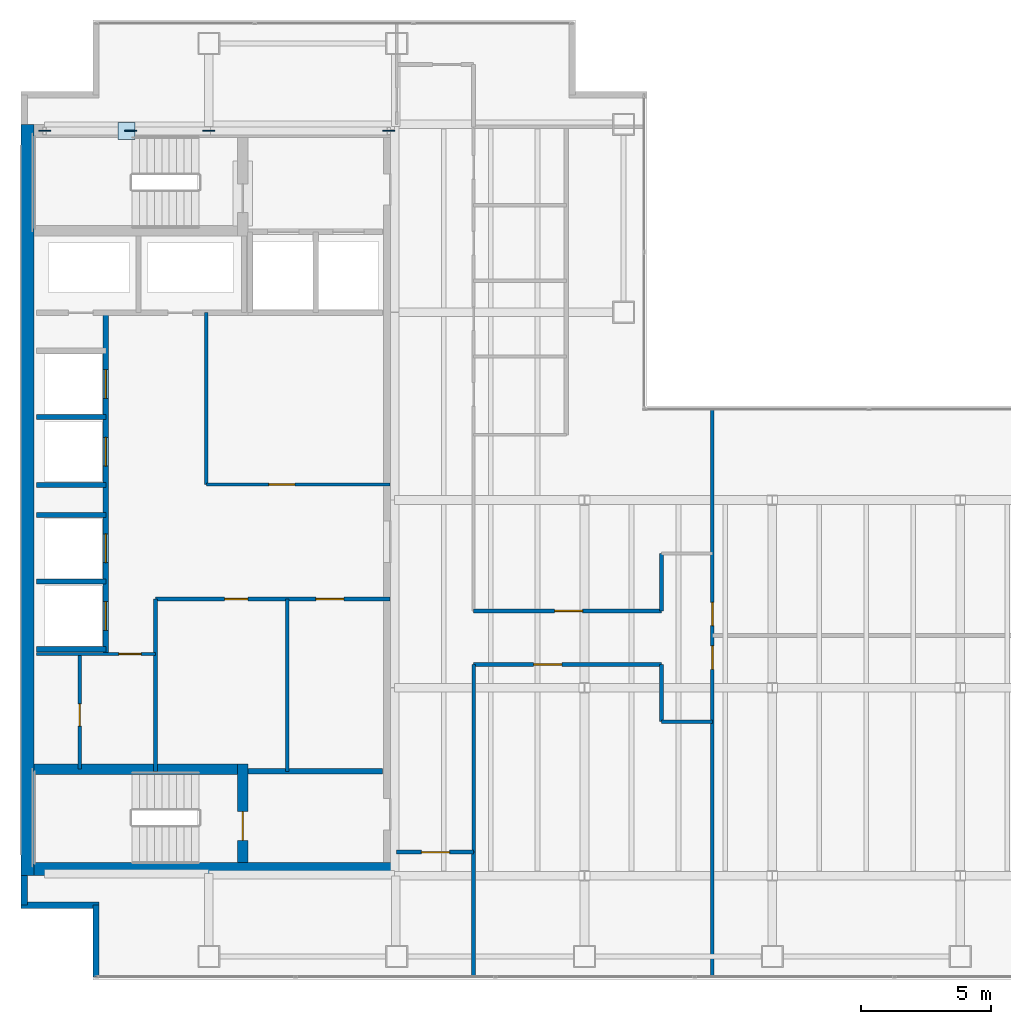
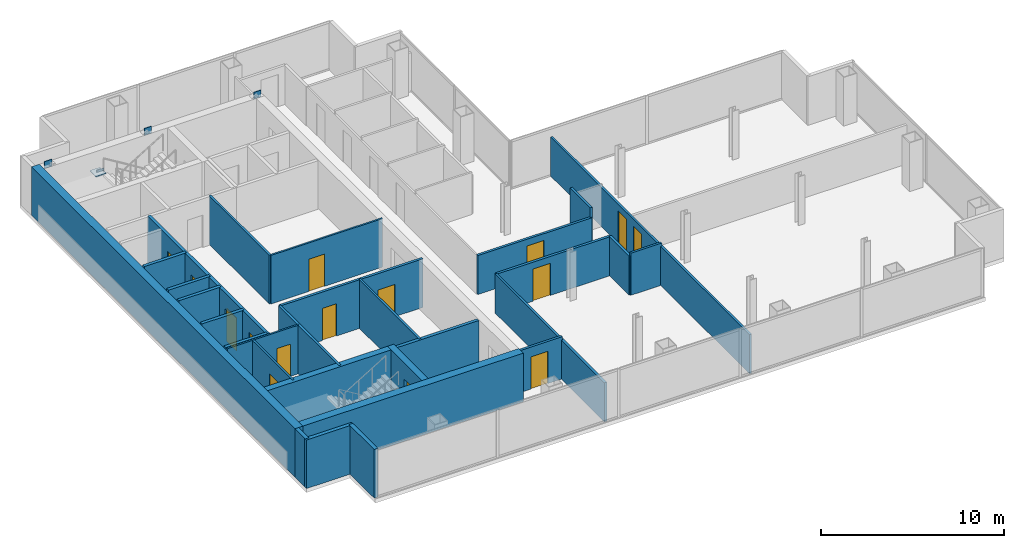
# One storey, part 20 of 23: 30 walls, 15 doors, 5 plates, 15 openings.
"""IFC4 building model written with IfcOpenShell, lengths in metres."""

from ifc_helpers import new_model, si_unit, direction, frame, frame_2d, origin, origin_2d, place, context, subcontext, project, spatial, rectangle, extrude, material, layer, layer_set, type_object, element, fill, save


model = new_model("IFC4")

# Units and contexts
model_context = context("Model", 3, precision=1e-05, world=origin(), true_north=direction((0.0, 1.0)))
body_context = subcontext(model_context, "Body", "Model", "MODEL_VIEW")
ifc_project = project(units=[si_unit("LENGTHUNIT", "METRE"), si_unit("AREAUNIT", "SQUARE_METRE"), si_unit("VOLUMEUNIT", "CUBIC_METRE"), si_unit("PLANEANGLEUNIT", "RADIAN"), si_unit("MASSUNIT", "GRAM", prefix="KILO")], contexts=[model_context])

# Site, building, storey
site_placement = place(None, origin())
site = spatial("IfcSite", under=ifc_project, at=site_placement, CompositionType="ELEMENT")
building_placement = place(site_placement, origin())
building = spatial("IfcBuilding", under=site, at=building_placement, Name="Cobrela Telecom Tower", CompositionType="ELEMENT")
storey_placement = place(building_placement, frame((0.0, 0.0, 180.25)))
storey = spatial("IfcBuildingStorey", under=building, at=storey_placement, Name="L45", CompositionType="ELEMENT", Elevation=180.25)

# Plates
ifc_material_1 = material(Name="Steel ASTM A572 Grade 50", Category="steel")
ifc_layer_1 = layer(ifc_material_1, 0.0419921875)
ifc_layer_set_1 = layer_set([ifc_layer_1], Name="Steel ASTM A572 Grade 50")
plate_type = type_object("IfcPlateType", Name="PLT-NODE-ND1", PredefinedType="USERDEFINED", material=ifc_layer_set_1)
for number, where, z_axis, x_axis, name in (
    (1, (7.199951171875, 35.75, 3.050048828125), (0.0, 0.0, 1.0), (1.0, 0.0, 0.0), "Steel node plate PLT-MBR-EXO-L45-N1-A-1"),
    (2, (4.198486328125, 35.75, 1.311767578125), (0.0, 0.0, 1.0), (-1.0, 0.0, 0.0), "Steel node plate PLT-MBR-EXO-L45-N1-B1-1"),
    (3, (0.89990234375, 35.75, 3.050048828125), (0.0, 0.0, 1.0), (-1.0, 0.0, 0.0), "Steel node plate PLT-MBR-EXO-L45-N1-B2-1"),
):
    element("IfcPlate", number, at=place(storey_placement, frame(where, z_axis=z_axis, x_axis=x_axis)), inside=storey, type_object=plate_type, Name=name, ObjectType="GUSSET PLATE", PredefinedType="USERDEFINED", context=body_context, shape_type="SweptSolid", body=[
        extrude(rectangle(XDim=0.4599609375, YDim=0.044921875, at=origin_2d()), origin(), (0.0, 0.0, 1.0), 0.4599609375),
    ])
plate_1_placement = place(storey_placement, frame((4.050048828125, 35.75, 1.59765625), z_axis=(0.0, 0.0, 1.0), x_axis=(1.0, 0.0, 0.0)))
element("IfcPlate", 4, at=plate_1_placement, inside=storey, type_object=plate_type, Name="L45 Core Flange Steel X-Brace Central X-Crossing Gusset Plate", ObjectType="GUSSET PLATE", PredefinedType="USERDEFINED", context=body_context, shape_type="SweptSolid", body=[
    extrude(rectangle(XDim=0.64990234375, YDim=0.64990234375, at=origin_2d()), origin(), (0.0, 0.0, 1.0), 0.044921875),
])
plate_2_placement = place(storey_placement, frame((14.10009765625, 35.75, 3.050048828125), z_axis=(0.0, 0.0, 1.0), x_axis=(1.0, 0.0, 0.0)))
element("IfcPlate", 5, at=plate_2_placement, inside=storey, type_object=plate_type, Name="Steel node plate PLT-MBR-EXO-L45-N2-1", ObjectType="GUSSET PLATE", PredefinedType="USERDEFINED", context=body_context, shape_type="SweptSolid", body=[
    extrude(rectangle(XDim=0.4599609375, YDim=0.044921875, at=origin_2d()), origin(), (0.0, 0.0, 1.0), 0.4599609375),
])

# Walls
ifc_material_2 = material(Name="Concrete C40/50", Category="concrete")
ifc_layer_2 = layer(ifc_material_2, 0.5)
ifc_layer_set_2 = layer_set([ifc_layer_2], Name="Concrete C40/50")
wall_type_1 = type_object("IfcWallType", Name="WALL-CORE-C40-500", PredefinedType="SHEAR", material=ifc_layer_set_2)
wall_1_placement = place(storey_placement, frame((0.25, 7.199951171875, 0.0), z_axis=(0.0, 0.0, 1.0), x_axis=(0.0, 1.0, 0.0)))
element("IfcWall", 6, at=wall_1_placement, inside=storey, type_object=wall_type_1, Name="L45 West Core Shear Wall", PredefinedType="SHEAR", context=body_context, shape_type="SweptSolid", body=[
    extrude(rectangle(XDim=28.800048828125, YDim=0.5, at=frame_2d((14.39990234375, 0.0))), origin(), (0.0, 0.0, 1.0), 3.239990234375),
])
wall_2_placement = place(storey_placement, frame((0.5, 7.449951171875, 0.0), z_axis=(0.0, 0.0, 1.0), x_axis=(1.0, 0.0, 0.0)))
element("IfcWall", 7, at=wall_2_placement, inside=storey, type_object=wall_type_1, Name="L45 South Core Shear Wall", PredefinedType="SHEAR", context=body_context, shape_type="SweptSolid", body=[
    extrude(rectangle(XDim=13.89990234375, YDim=0.5, at=frame_2d((6.949951171875, 0.0))), origin(), (0.0, 0.0, 1.0), 3.239990234375),
])
ifc_layer_3 = layer(ifc_material_2, 0.239990234375)
ifc_layer_set_3 = layer_set([ifc_layer_3], Name="Concrete C40/50")
wall_type_2 = type_object("IfcWallType", Name="WALL-EXT-300", PredefinedType="STANDARD", material=ifc_layer_set_3)
wall_3_placement = place(storey_placement, frame((2.8701171875, 3.320068359375, 0.0), z_axis=(0.0, 0.0, 1.0), x_axis=(0.0, 1.0, 0.0)))
element("IfcWall", 8, at=wall_3_placement, inside=storey, type_object=wall_type_2, Name="L45 Insulated Facade Wall 01", PredefinedType="STANDARD", context=body_context, shape_type="SweptSolid", body=[
    extrude(rectangle(XDim=2.75, YDim=0.239990234375, at=frame_2d((1.375, 0.0))), origin(), (0.0, 0.0, 1.0), 3.239990234375),
])
wall_4_placement = place(storey_placement, frame((2.989990234375, 6.070068359375, 0.0), z_axis=(0.0, 0.0, 1.0), x_axis=(-1.0, 0.0, 0.0)))
element("IfcWall", 9, at=wall_4_placement, inside=storey, type_object=wall_type_2, Name="L45 Insulated Facade Wall 02", PredefinedType="STANDARD", context=body_context, shape_type="SweptSolid", body=[
    extrude(rectangle(XDim=2.989990234375, YDim=0.239990234375, at=frame_2d((1.4951171875, 0.0))), origin(), (0.0, 0.0, 1.0), 3.239990234375),
])
wall_5_placement = place(storey_placement, frame((0.1201171875, 6.070068359375, 0.0), z_axis=(0.0, 0.0, 1.0), x_axis=(0.0, 1.0, 0.0)))
element("IfcWall", 10, at=wall_5_placement, inside=storey, type_object=wall_type_2, Name="L45 Insulated Facade Wall 03", PredefinedType="STANDARD", context=body_context, shape_type="SweptSolid", body=[
    extrude(rectangle(XDim=1.1298828125, YDim=0.239990234375, at=frame_2d((0.56494140625, 0.0))), origin(), (0.0, 0.0, 1.0), 3.239990234375),
])

# Wall, opening, door
ifc_material_3 = material(Name="Fire-Rated Gypsum Plasterboard")
ifc_layer_4 = layer(ifc_material_3, 0.110107421875)
ifc_layer_set_4 = layer_set([ifc_layer_4], Name="Fire-Rated Gypsum Plasterboard")
wall_type_3 = type_object("IfcWallType", Name="WALL-PART-110", PredefinedType="PARTITIONING", material=ifc_layer_set_4)
wall_6_placement = place(storey_placement, frame((7.10009765625, 22.199951171875, 0.0), z_axis=(0.0, 0.0, 1.0), x_axis=(1.0, 0.0, 0.0)))
wall_6 = element("IfcWall", 11, at=wall_6_placement, inside=storey, type_object=wall_type_3, Name="L45 Interior Partition CW-RECL-S", PredefinedType="PARTITIONING", context=body_context, shape_type="SweptSolid", body=[
    extrude(rectangle(XDim=7.0498046875, YDim=0.110107421875, at=frame_2d((3.52490234375, 0.0))), origin(), (0.0, 0.0, 1.0), 3.239990234375),
])
opening_1_placement = place(wall_6_placement, frame((2.39990234375, 0.0, 0.0)))
opening_1 = element("IfcOpeningElement", 12, at=opening_1_placement, cuts=wall_6, Name="Opening DR-31", PredefinedType="OPENING", context=body_context, shape_type="SweptSolid", body=[
    extrude(rectangle(XDim=1.0, YDim=2.14990234375, at=frame_2d((0.5, 1.074951171875))), frame((0.0, 0.06689453125, 0.0), z_axis=(0.0, -1.0, 0.0), x_axis=(1.0, 0.0, 0.0)), (0.0, 0.0, 1.0), 0.134033203125),
])
ifc_material_4 = material(Name="Solid Engineered Oak Timber", Category="wood")
door_type_1 = type_object("IfcDoorType", Name="DOOR-INT-1000", OperationType="SINGLE_SWING_LEFT", PredefinedType="DOOR", material=ifc_material_4)
door_1_placement = place(opening_1_placement, origin())
door_1 = element("IfcDoor", 13, at=door_1_placement, inside=storey, type_object=door_type_1, Name="L45 Door DR-31", OperationType="SINGLE_SWING_LEFT", OverallHeight=2.14990234375, OverallWidth=1.0, PredefinedType="DOOR", context=body_context, shape_type="SweptSolid", body=[
    extrude(rectangle(XDim=1.0, YDim=2.14990234375, at=frame_2d((0.5, 1.074951171875))), frame((0.0, 0.02490234375, 0.0), z_axis=(0.0, -1.0, 0.0), x_axis=(1.0, 0.0, 0.0)), (0.0, 0.0, 1.0), 0.050048828125),
])
fill(opening_1, door_1)

wall_7_placement = place(storey_placement, frame((0.60009765625, 15.699951171875, 0.0), z_axis=(0.0, 0.0, 1.0), x_axis=(1.0, 0.0, 0.0)))
wall_7 = element("IfcWall", 14, at=wall_7_placement, inside=storey, type_object=wall_type_3, Name="L45 Interior Partition CW-FLEX-N", PredefinedType="PARTITIONING", context=body_context, shape_type="SweptSolid", body=[
    extrude(rectangle(XDim=4.5498046875, YDim=0.110107421875, at=frame_2d((2.27490234375, 0.0))), origin(), (0.0, 0.0, 1.0), 3.239990234375),
])
opening_2_placement = place(wall_7_placement, frame((3.14990234375, 0.0, 0.0)))
opening_2 = element("IfcOpeningElement", 15, at=opening_2_placement, cuts=wall_7, Name="Opening DR-11", PredefinedType="OPENING", context=body_context, shape_type="SweptSolid", body=[
    extrude(rectangle(XDim=0.85009765625, YDim=2.14990234375, at=frame_2d((0.425048828125, 1.074951171875))), frame((0.0, 0.06689453125, 0.0), z_axis=(0.0, -1.0, 0.0), x_axis=(1.0, 0.0, 0.0)), (0.0, 0.0, 1.0), 0.134033203125),
])
door_type_2 = type_object("IfcDoorType", Name="DOOR-INT-850", OperationType="SINGLE_SWING_LEFT", PredefinedType="DOOR", material=ifc_material_4)
door_2_placement = place(opening_2_placement, origin())
door_2 = element("IfcDoor", 16, at=door_2_placement, inside=storey, type_object=door_type_2, Name="L45 Door DR-11", OperationType="SINGLE_SWING_RIGHT", OverallHeight=2.14990234375, OverallWidth=0.85009765625, PredefinedType="DOOR", context=body_context, shape_type="SweptSolid", body=[
    extrude(rectangle(XDim=0.85009765625, YDim=2.14990234375, at=frame_2d((0.425048828125, 1.074951171875))), frame((0.0, 0.02490234375, 0.0), z_axis=(0.0, -1.0, 0.0), x_axis=(1.0, 0.0, 0.0)), (0.0, 0.0, 1.0), 0.050048828125),
])
fill(opening_2, door_2)

ifc_layer_5 = layer(ifc_material_3, 0.125)
ifc_layer_set_5 = layer_set([ifc_layer_5], Name="Fire-Rated Gypsum Plasterboard")
wall_type_4 = type_object("IfcWallType", Name="WALL-PART-125", PredefinedType="PARTITIONING", material=ifc_layer_set_5)
wall_8_placement = place(storey_placement, frame((2.25, 11.280029296875, 0.0), z_axis=(0.0, 0.0, 1.0), x_axis=(0.0, 1.0, 0.0)))
wall_8 = element("IfcWall", 17, at=wall_8_placement, inside=storey, type_object=wall_type_4, Name="L45 Interior Partition CW-FK0-V", PredefinedType="PARTITIONING", context=body_context, shape_type="SweptSolid", body=[
    extrude(rectangle(XDim=4.419921875, YDim=0.125, at=frame_2d((2.2099609375, 0.0))), origin(), (0.0, 0.0, 1.0), 3.239990234375),
])
opening_3_placement = place(wall_8_placement, frame((1.64990234375, 0.0, 0.0)))
opening_3 = element("IfcOpeningElement", 18, at=opening_3_placement, cuts=wall_8, Name="Opening DR-11", PredefinedType="OPENING", context=body_context, shape_type="SweptSolid", body=[
    extrude(rectangle(XDim=0.85009765625, YDim=2.14990234375, at=frame_2d((0.425048828125, 1.074951171875))), frame((0.0, 0.074462890625, 0.0), z_axis=(0.0, -1.0, 0.0), x_axis=(1.0, 0.0, 0.0)), (0.0, 0.0, 1.0), 0.14892578125),
])
door_3_placement = place(opening_3_placement, origin())
door_3 = element("IfcDoor", 19, at=door_3_placement, inside=storey, type_object=door_type_2, Name="L45 Door DR-11", OperationType="SINGLE_SWING_LEFT", OverallHeight=2.14990234375, OverallWidth=0.85009765625, PredefinedType="DOOR", context=body_context, shape_type="SweptSolid", body=[
    extrude(rectangle(XDim=0.85009765625, YDim=2.14990234375, at=frame_2d((0.425048828125, 1.074951171875))), frame((0.0, 0.02490234375, 0.0), z_axis=(0.0, -1.0, 0.0), x_axis=(1.0, 0.0, 0.0)), (0.0, 0.0, 1.0), 0.050048828125),
])
fill(opening_3, door_3)

# Walls
ifc_layer_6 = layer(ifc_material_3, 0.135009765625)
ifc_layer_set_6 = layer_set([ifc_layer_6], Name="Fire-Rated Gypsum Plasterboard")
wall_type_5 = type_object("IfcWallType", Name="WALL-PART-135", PredefinedType="PARTITIONING", material=ifc_layer_set_6)
wall_9_placement = place(storey_placement, frame((7.10009765625, 22.199951171875, 0.0), z_axis=(0.0, 0.0, 1.0), x_axis=(0.0, 1.0, 0.0)))
element("IfcWall", 20, at=wall_9_placement, inside=storey, type_object=wall_type_5, Name="L45 Interior Partition CW-RECL-W", PredefinedType="PARTITIONING", context=body_context, shape_type="SweptSolid", body=[
    extrude(rectangle(XDim=6.580078125, YDim=0.135009765625, at=frame_2d((3.2900390625, 0.0))), origin(), (0.0, 0.0, 1.0), 3.239990234375),
])
wall_10_placement = place(storey_placement, frame((10.199951171875, 11.199951171875, 0.0), z_axis=(0.0, 0.0, 1.0), x_axis=(0.0, 1.0, 0.0)))
element("IfcWall", 21, at=wall_10_placement, inside=storey, type_object=wall_type_5, Name="L45 Interior Partition CW-RECM-V", PredefinedType="PARTITIONING", context=body_context, shape_type="SweptSolid", body=[
    extrude(rectangle(XDim=6.60009765625, YDim=0.135009765625, at=frame_2d((3.300048828125, 0.0))), origin(), (0.0, 0.0, 1.0), 3.239990234375),
])
wall_11_placement = place(storey_placement, frame((17.35009765625, 8.10009765625, 0.0), z_axis=(0.0, 0.0, 1.0), x_axis=(0.0, 1.0, 0.0)))
element("IfcWall", 22, at=wall_11_placement, inside=storey, type_object=wall_type_5, Name="L45 Interior Partition W-C-E1", PredefinedType="PARTITIONING", context=body_context, shape_type="SweptSolid", body=[
    extrude(rectangle(XDim=7.199951171875, YDim=0.135009765625, at=frame_2d((3.60009765625, 0.0))), origin(), (0.0, 0.0, 1.0), 2.60302734375),
])
wall_12_placement = place(storey_placement, frame((24.550048828125, 13.10009765625, 0.0), z_axis=(0.0, 0.0, 1.0), x_axis=(1.0, 0.0, 0.0)))
element("IfcWall", 23, at=wall_12_placement, inside=storey, type_object=wall_type_5, Name="L45 Interior Partition W-CT-S", PredefinedType="PARTITIONING", context=body_context, shape_type="SweptSolid", body=[
    extrude(rectangle(XDim=1.949951171875, YDim=0.135009765625, at=frame_2d((0.97509765625, 0.0))), origin(), (0.0, 0.0, 1.0), 2.80810546875),
])

# Wall, openings, doors
wall_13_placement = place(storey_placement, frame((26.5, 3.320068359375, 0.0), z_axis=(0.0, 0.0, 1.0), x_axis=(0.0, 1.0, 0.0)))
wall_13 = element("IfcWall", 24, at=wall_13_placement, inside=storey, type_object=wall_type_5, Name="L45 Interior Partition W-C-END", PredefinedType="PARTITIONING", context=body_context, shape_type="SweptSolid", body=[
    extrude(rectangle(XDim=21.760009765625, YDim=0.135009765625, at=frame_2d((10.8798828125, 0.0))), origin(), (0.0, 0.0, 1.0), 2.60302734375),
])
opening_4_placement = place(wall_13_placement, frame((11.7900390625, 0.0, 0.0)))
opening_4 = element("IfcOpeningElement", 25, at=opening_4_placement, cuts=wall_13, Name="Opening DR-41", PredefinedType="OPENING", context=body_context, shape_type="SweptSolid", body=[
    extrude(rectangle(XDim=0.89990234375, YDim=2.14990234375, at=frame_2d((0.449951171875, 1.074951171875))), frame((0.0, 0.07958984375, 0.0), z_axis=(0.0, -1.0, 0.0), x_axis=(1.0, 0.0, 0.0)), (0.0, 0.0, 1.0), 0.158935546875),
])
opening_5_placement = place(wall_13_placement, frame((13.4599609375, 0.0, 0.0)))
opening_5 = element("IfcOpeningElement", 26, at=opening_5_placement, cuts=wall_13, Name="Opening DR-41", PredefinedType="OPENING", context=body_context, shape_type="SweptSolid", body=[
    extrude(rectangle(XDim=0.89990234375, YDim=2.14990234375, at=frame_2d((0.449951171875, 1.074951171875))), frame((0.0, 0.07958984375, 0.0), z_axis=(0.0, -1.0, 0.0), x_axis=(1.0, 0.0, 0.0)), (0.0, 0.0, 1.0), 0.158935546875),
])
door_type_3 = type_object("IfcDoorType", Name="DOOR-INT-900", OperationType="SINGLE_SWING_LEFT", PredefinedType="DOOR", material=ifc_material_4)
door_4_placement = place(opening_4_placement, origin())
door_4 = element("IfcDoor", 27, at=door_4_placement, inside=storey, type_object=door_type_3, Name="L45 Door DR-41", OperationType="SINGLE_SWING_LEFT", OverallHeight=2.14990234375, OverallWidth=0.89990234375, PredefinedType="DOOR", context=body_context, shape_type="SweptSolid", body=[
    extrude(rectangle(XDim=0.89990234375, YDim=2.14990234375, at=frame_2d((0.449951171875, 1.074951171875))), frame((0.0, 0.02490234375, 0.0), z_axis=(0.0, -1.0, 0.0), x_axis=(1.0, 0.0, 0.0)), (0.0, 0.0, 1.0), 0.050048828125),
])
fill(opening_4, door_4)
door_5_placement = place(opening_5_placement, origin())
door_5 = element("IfcDoor", 28, at=door_5_placement, inside=storey, type_object=door_type_3, Name="L45 Door DR-41", OperationType="SINGLE_SWING_RIGHT", OverallHeight=2.14990234375, OverallWidth=0.89990234375, PredefinedType="DOOR", context=body_context, shape_type="SweptSolid", body=[
    extrude(rectangle(XDim=0.89990234375, YDim=2.14990234375, at=frame_2d((0.449951171875, 1.074951171875))), frame((0.0, 0.02490234375, 0.0), z_axis=(0.0, -1.0, 0.0), x_axis=(1.0, 0.0, 0.0)), (0.0, 0.0, 1.0), 0.050048828125),
])
fill(opening_5, door_5)

# Wall
ifc_layer_7 = layer(ifc_material_3, 0.14990234375)
ifc_layer_set_7 = layer_set([ifc_layer_7], Name="Fire-Rated Gypsum Plasterboard")
wall_type_6 = type_object("IfcWallType", Name="WALL-PART-150", PredefinedType="PARTITIONING", material=ifc_layer_set_7)
wall_14_placement = place(storey_placement, frame((5.14990234375, 11.199951171875, 0.0), z_axis=(0.0, 0.0, 1.0), x_axis=(0.0, 1.0, 0.0)))
element("IfcWall", 29, at=wall_14_placement, inside=storey, type_object=wall_type_6, Name="L45 Interior Partition CW-RECM-W", PredefinedType="PARTITIONING", context=body_context, shape_type="SweptSolid", body=[
    extrude(rectangle(XDim=6.60009765625, YDim=0.14990234375, at=frame_2d((3.300048828125, 0.0))), origin(), (0.0, 0.0, 1.0), 3.239990234375),
])

# Wall, opening, door
wall_15_placement = place(storey_placement, frame((14.39990234375, 8.10009765625, 0.0), z_axis=(0.0, 0.0, 1.0), x_axis=(1.0, 0.0, 0.0)))
wall_15 = element("IfcWall", 30, at=wall_15_placement, inside=storey, type_object=wall_type_6, Name="L45 Interior Partition W-C-S0", PredefinedType="PARTITIONING", context=body_context, shape_type="SweptSolid", body=[
    extrude(rectangle(XDim=2.9501953125, YDim=0.14990234375, at=frame_2d((1.47509765625, 0.0))), origin(), (0.0, 0.0, 1.0), 2.80810546875),
])
opening_6_placement = place(wall_15_placement, frame((0.949951171875, 0.0, 0.0)))
opening_6 = element("IfcOpeningElement", 31, at=opening_6_placement, cuts=wall_15, Name="Opening DR-63", PredefinedType="OPENING", context=body_context, shape_type="SweptSolid", body=[
    extrude(rectangle(XDim=1.080078125, YDim=2.14990234375, at=frame_2d((0.5400390625, 1.074951171875))), frame((0.0, 0.0869140625, 0.0), z_axis=(0.0, -1.0, 0.0), x_axis=(1.0, 0.0, 0.0)), (0.0, 0.0, 1.0), 0.173828125),
])
door_type_4 = type_object("IfcDoorType", Name="DOOR-INT-1080", OperationType="SINGLE_SWING_LEFT", PredefinedType="DOOR", material=ifc_material_4)
door_6_placement = place(opening_6_placement, origin())
door_6 = element("IfcDoor", 32, at=door_6_placement, inside=storey, type_object=door_type_4, Name="L45 Door DR-63", OperationType="SINGLE_SWING_RIGHT", OverallHeight=2.14990234375, OverallWidth=1.080078125, PredefinedType="DOOR", context=body_context, shape_type="SweptSolid", body=[
    extrude(rectangle(XDim=1.080078125, YDim=2.14990234375, at=frame_2d((0.5400390625, 1.074951171875))), frame((0.0, 0.02490234375, 0.0), z_axis=(0.0, -1.0, 0.0), x_axis=(1.0, 0.0, 0.0)), (0.0, 0.0, 1.0), 0.050048828125),
])
fill(opening_6, door_6)

wall_16_placement = place(storey_placement, frame((17.35009765625, 17.35009765625, 0.0), z_axis=(0.0, 0.0, 1.0), x_axis=(1.0, 0.0, 0.0)))
wall_16 = element("IfcWall", 33, at=wall_16_placement, inside=storey, type_object=wall_type_6, Name="L45 Interior Partition W-C-HN", PredefinedType="PARTITIONING", context=body_context, shape_type="SweptSolid", body=[
    extrude(rectangle(XDim=7.199951171875, YDim=0.14990234375, at=frame_2d((3.60009765625, 0.0))), origin(), (0.0, 0.0, 1.0), 2.60302734375),
])
opening_7_placement = place(wall_16_placement, frame((3.10009765625, 0.0, 0.0)))
opening_7 = element("IfcOpeningElement", 34, at=opening_7_placement, cuts=wall_16, Name="Opening DR-63", PredefinedType="OPENING", context=body_context, shape_type="SweptSolid", body=[
    extrude(rectangle(XDim=1.080078125, YDim=2.14990234375, at=frame_2d((0.5400390625, 1.074951171875))), frame((0.0, 0.0869140625, 0.0), z_axis=(0.0, -1.0, 0.0), x_axis=(1.0, 0.0, 0.0)), (0.0, 0.0, 1.0), 0.173828125),
])
door_7_placement = place(opening_7_placement, origin())
door_7 = element("IfcDoor", 35, at=door_7_placement, inside=storey, type_object=door_type_4, Name="L45 Door DR-63", OperationType="SINGLE_SWING_LEFT", OverallHeight=2.14990234375, OverallWidth=1.080078125, PredefinedType="DOOR", context=body_context, shape_type="SweptSolid", body=[
    extrude(rectangle(XDim=1.080078125, YDim=2.14990234375, at=frame_2d((0.5400390625, 1.074951171875))), frame((0.0, 0.02490234375, 0.0), z_axis=(0.0, -1.0, 0.0), x_axis=(1.0, 0.0, 0.0)), (0.0, 0.0, 1.0), 0.050048828125),
])
fill(opening_7, door_7)

# Wall
wall_17_placement = place(storey_placement, frame((24.550048828125, 17.35009765625, 0.0), z_axis=(0.0, 0.0, 1.0), x_axis=(0.0, 1.0, 0.0)))
element("IfcWall", 36, at=wall_17_placement, inside=storey, type_object=wall_type_6, Name="L45 Interior Partition W-CT-JW2", PredefinedType="PARTITIONING", context=body_context, shape_type="SweptSolid", body=[
    extrude(rectangle(XDim=2.199951171875, YDim=0.14990234375, at=frame_2d((1.10009765625, 0.0))), origin(), (0.0, 0.0, 1.0), 3.239990234375),
])

# Wall, openings, doors
ifc_layer_8 = layer(ifc_material_3, 0.159912109375)
ifc_layer_set_8 = layer_set([ifc_layer_8], Name="Fire-Rated Gypsum Plasterboard")
wall_type_7 = type_object("IfcWallType", Name="WALL-PART-160", PredefinedType="PARTITIONING", material=ifc_layer_set_8)
wall_18_placement = place(storey_placement, frame((5.14990234375, 17.800048828125, 0.0), z_axis=(0.0, 0.0, 1.0), x_axis=(1.0, 0.0, 0.0)))
wall_18 = element("IfcWall", 37, at=wall_18_placement, inside=storey, type_object=wall_type_7, Name="L45 Interior Partition CW-RECM-N", PredefinedType="PARTITIONING", context=body_context, shape_type="SweptSolid", body=[
    extrude(rectangle(XDim=9.0, YDim=0.159912109375, at=frame_2d((4.5, 0.0))), origin(), (0.0, 0.0, 1.0), 3.239990234375),
])
opening_8_placement = place(wall_18_placement, frame((2.64990234375, 0.0, 0.0)))
opening_8 = element("IfcOpeningElement", 38, at=opening_8_placement, cuts=wall_18, Name="Opening DR-41", PredefinedType="OPENING", context=body_context, shape_type="SweptSolid", body=[
    extrude(rectangle(XDim=0.89990234375, YDim=2.14990234375, at=frame_2d((0.449951171875, 1.074951171875))), frame((0.0, 0.091796875, 0.0), z_axis=(0.0, -1.0, 0.0), x_axis=(1.0, 0.0, 0.0)), (0.0, 0.0, 1.0), 0.183837890625),
])
opening_9_placement = place(wall_18_placement, frame((6.14990234375, 0.0, 0.0)))
opening_9 = element("IfcOpeningElement", 39, at=opening_9_placement, cuts=wall_18, Name="Opening DR-63", PredefinedType="OPENING", context=body_context, shape_type="SweptSolid", body=[
    extrude(rectangle(XDim=1.080078125, YDim=2.14990234375, at=frame_2d((0.5400390625, 1.074951171875))), frame((0.0, 0.091796875, 0.0), z_axis=(0.0, -1.0, 0.0), x_axis=(1.0, 0.0, 0.0)), (0.0, 0.0, 1.0), 0.183837890625),
])
door_8_placement = place(opening_9_placement, origin())
door_8 = element("IfcDoor", 40, at=door_8_placement, inside=storey, type_object=door_type_4, Name="L45 Door DR-63", OperationType="SINGLE_SWING_RIGHT", OverallHeight=2.14990234375, OverallWidth=1.080078125, PredefinedType="DOOR", context=body_context, shape_type="SweptSolid", body=[
    extrude(rectangle(XDim=1.080078125, YDim=2.14990234375, at=frame_2d((0.5400390625, 1.074951171875))), frame((0.0, 0.02490234375, 0.0), z_axis=(0.0, -1.0, 0.0), x_axis=(1.0, 0.0, 0.0)), (0.0, 0.0, 1.0), 0.050048828125),
])
fill(opening_9, door_8)
door_9_placement = place(opening_8_placement, origin())
door_9 = element("IfcDoor", 41, at=door_9_placement, inside=storey, type_object=door_type_3, Name="L45 Door DR-41", OperationType="SINGLE_SWING_LEFT", OverallHeight=2.14990234375, OverallWidth=0.89990234375, PredefinedType="DOOR", context=body_context, shape_type="SweptSolid", body=[
    extrude(rectangle(XDim=0.89990234375, YDim=2.14990234375, at=frame_2d((0.449951171875, 1.074951171875))), frame((0.0, 0.02490234375, 0.0), z_axis=(0.0, -1.0, 0.0), x_axis=(1.0, 0.0, 0.0)), (0.0, 0.0, 1.0), 0.050048828125),
])
fill(opening_8, door_9)

# Wall, opening, door
wall_19_placement = place(storey_placement, frame((17.35009765625, 15.300048828125, 0.0), z_axis=(0.0, 0.0, 1.0), x_axis=(1.0, 0.0, 0.0)))
wall_19 = element("IfcWall", 42, at=wall_19_placement, inside=storey, type_object=wall_type_7, Name="L45 Interior Partition W-C-HS", PredefinedType="PARTITIONING", context=body_context, shape_type="SweptSolid", body=[
    extrude(rectangle(XDim=7.199951171875, YDim=0.159912109375, at=frame_2d((3.60009765625, 0.0))), origin(), (0.0, 0.0, 1.0), 2.60302734375),
])
opening_10_placement = place(wall_19_placement, frame((2.300048828125, 0.0, 0.0)))
opening_10 = element("IfcOpeningElement", 43, at=opening_10_placement, cuts=wall_19, Name="Opening DR-63", PredefinedType="OPENING", context=body_context, shape_type="SweptSolid", body=[
    extrude(rectangle(XDim=1.080078125, YDim=2.14990234375, at=frame_2d((0.5400390625, 1.074951171875))), frame((0.0, 0.091796875, 0.0), z_axis=(0.0, -1.0, 0.0), x_axis=(1.0, 0.0, 0.0)), (0.0, 0.0, 1.0), 0.183837890625),
])
door_10_placement = place(opening_10_placement, origin())
door_10 = element("IfcDoor", 44, at=door_10_placement, inside=storey, type_object=door_type_4, Name="L45 Door DR-63", OperationType="SINGLE_SWING_LEFT", OverallHeight=2.14990234375, OverallWidth=1.080078125, PredefinedType="DOOR", context=body_context, shape_type="SweptSolid", body=[
    extrude(rectangle(XDim=1.080078125, YDim=2.14990234375, at=frame_2d((0.5400390625, 1.074951171875))), frame((0.0, 0.02490234375, 0.0), z_axis=(0.0, -1.0, 0.0), x_axis=(1.0, 0.0, 0.0)), (0.0, 0.0, 1.0), 0.050048828125),
])
fill(opening_10, door_10)

# Walls
wall_20_placement = place(storey_placement, frame((24.550048828125, 13.10009765625, 0.0), z_axis=(0.0, 0.0, 1.0), x_axis=(0.0, 1.0, 0.0)))
element("IfcWall", 45, at=wall_20_placement, inside=storey, type_object=wall_type_7, Name="L45 Interior Partition W-CT-JW1", PredefinedType="PARTITIONING", context=body_context, shape_type="SweptSolid", body=[
    extrude(rectangle(XDim=2.199951171875, YDim=0.159912109375, at=frame_2d((1.10009765625, 0.0))), origin(), (0.0, 0.0, 1.0), 2.60302734375),
])
wall_21_placement = place(storey_placement, frame((17.35009765625, 3.320068359375, 0.0), z_axis=(0.0, 0.0, 1.0), x_axis=(0.0, 1.0, 0.0)))
element("IfcWall", 46, at=wall_21_placement, inside=storey, type_object=wall_type_7, Name="L45 Interior Partition W-SW-E", PredefinedType="PARTITIONING", context=body_context, shape_type="SweptSolid", body=[
    extrude(rectangle(XDim=4.780029296875, YDim=0.159912109375, at=frame_2d((2.39013671875, 0.0))), origin(), (0.0, 0.0, 1.0), 2.60302734375),
])
ifc_layer_9 = layer(ifc_material_3, 0.199951171875)
ifc_layer_set_9 = layer_set([ifc_layer_9], Name="Fire-Rated Gypsum Plasterboard")
wall_type_8 = type_object("IfcWallType", Name="WALL-SHAFT-200", PredefinedType="PARTITIONING", material=ifc_layer_set_9)
wall_22_placement = place(storey_placement, frame((8.699951171875, 11.199951171875, 0.0), z_axis=(0.0, 0.0, 1.0), x_axis=(1.0, 0.0, 0.0)))
element("IfcWall", 47, at=wall_22_placement, inside=storey, type_object=wall_type_8, Name="L45 Shaft Enclosure CW-ST2L-N", PredefinedType="PARTITIONING", context=body_context, shape_type="SweptSolid", body=[
    extrude(rectangle(XDim=5.150146484375, YDim=0.199951171875, at=frame_2d((2.5751953125, 0.0))), origin(), (0.0, 0.0, 1.0), 3.239990234375),
])

# Wall, openings, doors
wall_23_placement = place(storey_placement, frame((3.25, 15.699951171875, 0.0), z_axis=(0.0, 0.0, 1.0), x_axis=(0.0, 1.0, 0.0)))
wall_23 = element("IfcWall", 48, at=wall_23_placement, inside=storey, type_object=wall_type_8, Name="L45 Shaft Enclosure CW-PLH-E", PredefinedType="PARTITIONING", context=body_context, shape_type="SweptSolid", body=[
    extrude(rectangle(XDim=13.080078125, YDim=0.199951171875, at=frame_2d((6.5400390625, 0.0))), origin(), (0.0, 0.0, 1.0), 3.239990234375),
])
opening_11_placement = place(wall_23_placement, frame((0.89990234375, 0.0, 0.0)))
opening_11 = element("IfcOpeningElement", 49, at=opening_11_placement, cuts=wall_23, Name="Opening LD-1", PredefinedType="OPENING", context=body_context, shape_type="SweptSolid", body=[
    extrude(rectangle(XDim=1.10009765625, YDim=2.199951171875, at=frame_2d((0.550048828125, 1.10009765625))), frame((0.0, 0.11181640625, 0.0), z_axis=(0.0, -1.0, 0.0), x_axis=(1.0, 0.0, 0.0)), (0.0, 0.0, 1.0), 0.223876953125),
])
opening_12_placement = place(wall_23_placement, frame((3.5, 0.0, 0.0)))
opening_12 = element("IfcOpeningElement", 50, at=opening_12_placement, cuts=wall_23, Name="Opening LD-1", PredefinedType="OPENING", context=body_context, shape_type="SweptSolid", body=[
    extrude(rectangle(XDim=1.10009765625, YDim=2.199951171875, at=frame_2d((0.550048828125, 1.10009765625))), frame((0.0, 0.11181640625, 0.0), z_axis=(0.0, -1.0, 0.0), x_axis=(1.0, 0.0, 0.0)), (0.0, 0.0, 1.0), 0.223876953125),
])
opening_13_placement = place(wall_23_placement, frame((7.199951171875, 0.0, 0.0)))
opening_13 = element("IfcOpeningElement", 51, at=opening_13_placement, cuts=wall_23, Name="Opening LD-1", PredefinedType="OPENING", context=body_context, shape_type="SweptSolid", body=[
    extrude(rectangle(XDim=1.10009765625, YDim=2.199951171875, at=frame_2d((0.550048828125, 1.10009765625))), frame((0.0, 0.11181640625, 0.0), z_axis=(0.0, -1.0, 0.0), x_axis=(1.0, 0.0, 0.0)), (0.0, 0.0, 1.0), 0.223876953125),
])
opening_14_placement = place(wall_23_placement, frame((9.800048828125, 0.0, 0.0)))
opening_14 = element("IfcOpeningElement", 52, at=opening_14_placement, cuts=wall_23, Name="Opening LD-1", PredefinedType="OPENING", context=body_context, shape_type="SweptSolid", body=[
    extrude(rectangle(XDim=1.10009765625, YDim=2.199951171875, at=frame_2d((0.550048828125, 1.10009765625))), frame((0.0, 0.11181640625, 0.0), z_axis=(0.0, -1.0, 0.0), x_axis=(1.0, 0.0, 0.0)), (0.0, 0.0, 1.0), 0.223876953125),
])
ifc_material_5 = material(Name="Steel ASTM A36", Category="steel")
door_type_5 = type_object("IfcDoorType", Name="DOOR-LD-PL", OperationType="SINGLE_SWING_LEFT", PredefinedType="DOOR", material=ifc_material_5)
door_11_placement = place(opening_11_placement, origin())
door_11 = element("IfcDoor", 53, at=door_11_placement, inside=storey, type_object=door_type_5, Name="L45 Lift Landing Door LD-1", OperationType="DOUBLE_DOOR_SLIDING", OverallHeight=2.199951171875, OverallWidth=1.10009765625, PredefinedType="DOOR", context=body_context, shape_type="SweptSolid", body=[
    extrude(rectangle(XDim=1.10009765625, YDim=2.199951171875, at=frame_2d((0.550048828125, 1.10009765625))), frame((0.0, 0.02490234375, 0.0), z_axis=(0.0, -1.0, 0.0), x_axis=(1.0, 0.0, 0.0)), (0.0, 0.0, 1.0), 0.050048828125),
])
fill(opening_11, door_11)
door_12_placement = place(opening_12_placement, origin())
door_12 = element("IfcDoor", 54, at=door_12_placement, inside=storey, type_object=door_type_5, Name="L45 Lift Landing Door LD-1", OperationType="DOUBLE_DOOR_SLIDING", OverallHeight=2.199951171875, OverallWidth=1.10009765625, PredefinedType="DOOR", context=body_context, shape_type="SweptSolid", body=[
    extrude(rectangle(XDim=1.10009765625, YDim=2.199951171875, at=frame_2d((0.550048828125, 1.10009765625))), frame((0.0, 0.02490234375, 0.0), z_axis=(0.0, -1.0, 0.0), x_axis=(1.0, 0.0, 0.0)), (0.0, 0.0, 1.0), 0.050048828125),
])
fill(opening_12, door_12)
door_13_placement = place(opening_13_placement, origin())
door_13 = element("IfcDoor", 55, at=door_13_placement, inside=storey, type_object=door_type_5, Name="L45 Lift Landing Door LD-1", OperationType="DOUBLE_DOOR_SLIDING", OverallHeight=2.199951171875, OverallWidth=1.10009765625, PredefinedType="DOOR", context=body_context, shape_type="SweptSolid", body=[
    extrude(rectangle(XDim=1.10009765625, YDim=2.199951171875, at=frame_2d((0.550048828125, 1.10009765625))), frame((0.0, 0.02490234375, 0.0), z_axis=(0.0, -1.0, 0.0), x_axis=(1.0, 0.0, 0.0)), (0.0, 0.0, 1.0), 0.050048828125),
])
fill(opening_13, door_13)
door_14_placement = place(opening_14_placement, origin())
door_14 = element("IfcDoor", 56, at=door_14_placement, inside=storey, type_object=door_type_5, Name="L45 Lift Landing Door LD-1", OperationType="DOUBLE_DOOR_SLIDING", OverallHeight=2.199951171875, OverallWidth=1.10009765625, PredefinedType="DOOR", context=body_context, shape_type="SweptSolid", body=[
    extrude(rectangle(XDim=1.10009765625, YDim=2.199951171875, at=frame_2d((0.550048828125, 1.10009765625))), frame((0.0, 0.02490234375, 0.0), z_axis=(0.0, -1.0, 0.0), x_axis=(1.0, 0.0, 0.0)), (0.0, 0.0, 1.0), 0.050048828125),
])
fill(opening_14, door_14)

# Walls
for number, where, z_axis, x_axis, name in (
    (57, (0.60009765625, 15.8798828125, 0.0), (0.0, 0.0, 1.0), (1.0, 0.0, 0.0), "L45 Shaft Enclosure CW-PLH-D9"),
    (58, (0.60009765625, 18.47998046875, 0.0), (0.0, 0.0, 1.0), (1.0, 0.0, 0.0), "L45 Shaft Enclosure CW-PLH-D10"),
    (59, (0.60009765625, 22.179931640625, 0.0), (0.0, 0.0, 1.0), (1.0, 0.0, 0.0), "L45 Shaft Enclosure CW-PLH-D11"),
    (60, (0.60009765625, 24.780029296875, 0.0), (0.0, 0.0, 1.0), (1.0, 0.0, 0.0), "L45 Shaft Enclosure CW-PLH-D12"),
    (61, (0.60009765625, 21.02001953125, 0.0), (0.0, 0.0, 1.0), (1.0, 0.0, 0.0), "L45 Shaft Enclosure CW-PLH-MID"),
):
    element("IfcWall", number, at=place(storey_placement, frame(where, z_axis=z_axis, x_axis=x_axis)), inside=storey, type_object=wall_type_8, Name=name, PredefinedType="PARTITIONING", context=body_context, shape_type="SweptSolid", body=[
        extrude(rectangle(XDim=2.64990234375, YDim=0.199951171875, at=frame_2d((1.324951171875, 0.0))), origin(), (0.0, 0.0, 1.0), 3.239990234375),
    ])
ifc_layer_10 = layer(ifc_material_2, 0.39990234375)
ifc_layer_set_10 = layer_set([ifc_layer_10], Name="Concrete C40/50")
wall_type_9 = type_object("IfcWallType", Name="WALL-SHAFT-C40-400", PredefinedType="SHEAR", material=ifc_layer_set_10)
wall_24_placement = place(storey_placement, frame((0.5, 11.280029296875, 0.0), z_axis=(0.0, 0.0, 1.0), x_axis=(1.0, 0.0, 0.0)))
element("IfcWall", 62, at=wall_24_placement, inside=storey, type_object=wall_type_9, Name="L45 South Stair Shear Wall", PredefinedType="SHEAR", context=body_context, shape_type="SweptSolid", body=[
    extrude(rectangle(XDim=7.800048828125, YDim=0.39990234375, at=frame_2d((3.89990234375, 0.0))), origin(), (0.0, 0.0, 1.0), 3.239990234375),
])

# Wall, opening, door
wall_25_placement = place(storey_placement, frame((8.5, 7.699951171875, 0.0), z_axis=(0.0, 0.0, 1.0), x_axis=(0.0, 1.0, 0.0)))
wall_25 = element("IfcWall", 63, at=wall_25_placement, inside=storey, type_object=wall_type_9, Name="L45 South Stair Lobby Shear Wall", PredefinedType="SHEAR", context=body_context, shape_type="SweptSolid", body=[
    extrude(rectangle(XDim=3.780029296875, YDim=0.39990234375, at=frame_2d((1.89013671875, 0.0))), origin(), (0.0, 0.0, 1.0), 3.239990234375),
])
opening_15_placement = place(wall_25_placement, frame((0.85009765625, 0.0, 0.0)))
opening_15 = element("IfcOpeningElement", 64, at=opening_15_placement, cuts=wall_25, Name="Opening FD-90", PredefinedType="OPENING", context=body_context, shape_type="SweptSolid", body=[
    extrude(rectangle(XDim=1.10009765625, YDim=2.14990234375, at=frame_2d((0.550048828125, 1.074951171875))), frame((0.0, 0.2119140625, 0.0), z_axis=(0.0, -1.0, 0.0), x_axis=(1.0, 0.0, 0.0)), (0.0, 0.0, 1.0), 0.423828125),
])
door_type_6 = type_object("IfcDoorType", Name="DOOR-FD90-1100", OperationType="SINGLE_SWING_LEFT", PredefinedType="DOOR", material=ifc_material_5)
door_15_placement = place(opening_15_placement, origin())
door_15 = element("IfcDoor", 65, at=door_15_placement, inside=storey, type_object=door_type_6, Name="L45 Door FD-90", OperationType="SINGLE_SWING_LEFT", OverallHeight=2.14990234375, OverallWidth=1.10009765625, PredefinedType="DOOR", context=body_context, shape_type="SweptSolid", body=[
    extrude(rectangle(XDim=1.10009765625, YDim=2.14990234375, at=frame_2d((0.550048828125, 1.074951171875))), frame((0.0, 0.02490234375, 0.0), z_axis=(0.0, -1.0, 0.0), x_axis=(1.0, 0.0, 0.0)), (0.0, 0.0, 1.0), 0.050048828125),
])
fill(opening_15, door_15)

save(model, "model.ifc")
